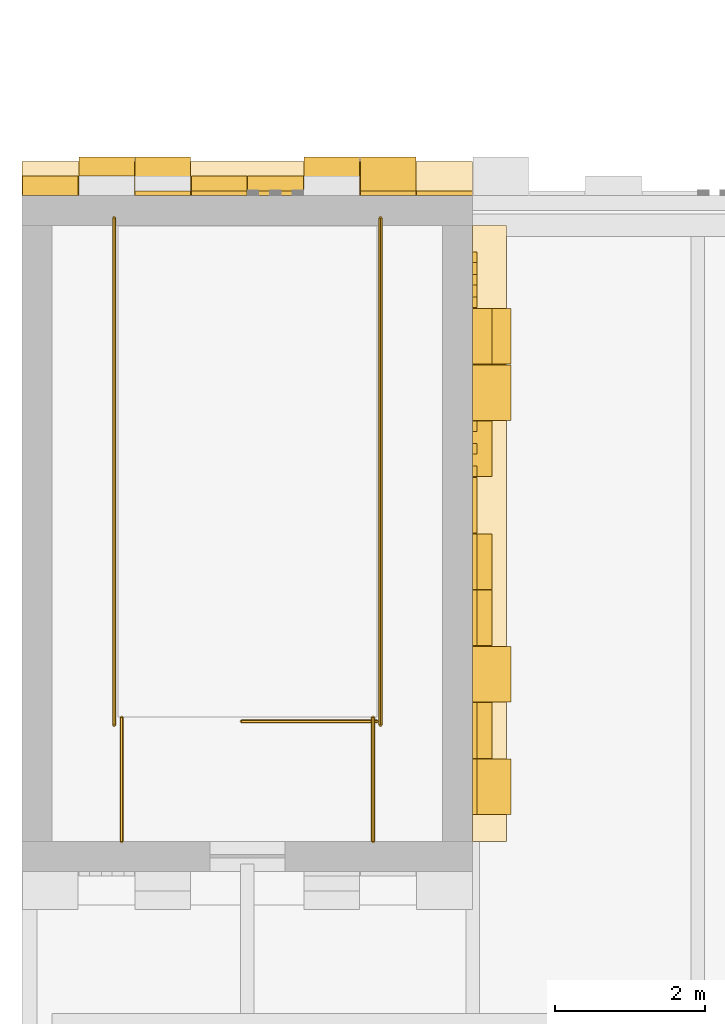
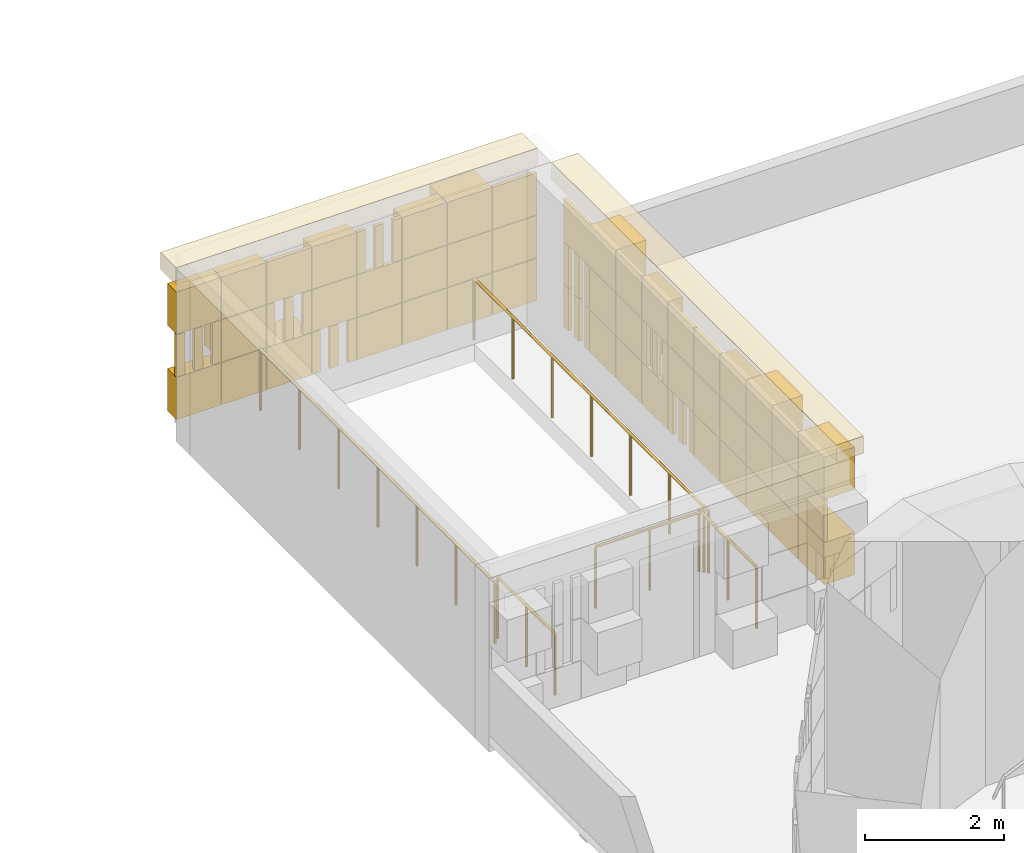
# One storey, part 69 of 98: 14 coverings, 5 railings.
"""IFC4 building model written with IfcOpenShell, lengths in metres."""

from ifc_helpers import new_model, si_unit, direction, frame, origin, origin_2d, place, context, subcontext, project, spatial, rectangle, circle, extrude, material, layer, layer_set, type_object, element, save


model = new_model("IFC4")

# Units and contexts
model_context = context("Model", 3, precision=1e-05, world=origin(), true_north=direction((0.0, 1.0)))
body_context = subcontext(model_context, "Body", "Model", "MODEL_VIEW")
ifc_project = project(units=[si_unit("LENGTHUNIT", "METRE"), si_unit("AREAUNIT", "SQUARE_METRE"), si_unit("VOLUMEUNIT", "CUBIC_METRE"), si_unit("PLANEANGLEUNIT", "RADIAN"), si_unit("MASSUNIT", "GRAM", prefix="KILO")], contexts=[model_context])

# Site, building, storey
site_placement = place(None, origin())
site = spatial("IfcSite", under=ifc_project, at=site_placement, CompositionType="ELEMENT")
building_placement = place(site_placement, origin())
building = spatial("IfcBuilding", under=site, at=building_placement, Name="Sun Court Science Centre", CompositionType="ELEMENT")
storey_placement = place(building_placement, frame((0.0, 0.0, 15.75)))
storey = spatial("IfcBuildingStorey", under=building, at=storey_placement, Name="L03", CompositionType="ELEMENT", Elevation=15.75)

# Railings
ifc_material_1 = material(Name="Steel S275", Category="steel")
railing_type = type_object("IfcRailingType", Name="Guard 1100 steel balustrade", PredefinedType="GUARDRAIL", material=ifc_material_1)
railing_placement = place(storey_placement, frame((4.722900390625, 20.998046875, 0.0)))
element("IfcRailing", 1, at=railing_placement, inside=storey, type_object=railing_type, Name="L03 SB1 top well guard 1", PredefinedType="GUARDRAIL", context=body_context, shape_type="SweptSolid", body=[
    extrude(circle(Radius=0.02392578125, at=origin_2d()), frame((0.0, 0.0, 1.076171875), z_axis=(-1.0, 0.0, 0.0), x_axis=(0.0, -1.0, 0.0)), (0.0, 0.0, 1.0), 1.7978515625),
    extrude(circle(Radius=0.02099609375, at=origin_2d()), origin(), (0.0, 0.0, 1.0), 1.052001953125),
    extrude(circle(Radius=0.02099609375, at=origin_2d()), frame((-0.89892578125, 0.0, 0.0)), (0.0, 0.0, 1.0), 1.052001953125),
    extrude(circle(Radius=0.02099609375, at=origin_2d()), frame((-1.7978515625, 0.0, 0.0)), (0.0, 0.0, 1.0), 1.052001953125),
])
for number, where, name in (
    (2, (4.77294921875, 20.947998046875, 0.0), "L03 SB1 top well guard 2"),
    (3, (1.22705078125, 20.947998046875, 0.0), "L03 SB1 top well guard 3"),
):
    element("IfcRailing", number, at=place(storey_placement, frame(where)), inside=storey, type_object=railing_type, Name=name, PredefinedType="GUARDRAIL", context=body_context, shape_type="SweptSolid", body=[
        extrude(circle(Radius=0.02392578125, at=origin_2d()), frame((0.0, 0.0, 1.076171875), z_axis=(0.0, 1.0, 0.0), x_axis=(-1.0, 0.0, 0.0)), (0.0, 0.0, 1.0), 6.751953125),
        extrude(circle(Radius=0.02099609375, at=origin_2d()), origin(), (0.0, 0.0, 1.0), 1.052001953125),
        extrude(circle(Radius=0.02099609375, at=origin_2d()), frame((0.0, 1.125244140625, 0.0)), (0.0, 0.0, 1.0), 1.052001953125),
        extrude(circle(Radius=0.02099609375, at=origin_2d()), frame((0.0, 2.250732421875, 0.0)), (0.0, 0.0, 1.0), 1.052001953125),
        extrude(circle(Radius=0.02099609375, at=origin_2d()), frame((0.0, 3.3759765625, 0.0)), (0.0, 0.0, 1.0), 1.052001953125),
        extrude(circle(Radius=0.02099609375, at=origin_2d()), frame((0.0, 4.501220703125, 0.0)), (0.0, 0.0, 1.0), 1.052001953125),
        extrude(circle(Radius=0.02099609375, at=origin_2d()), frame((0.0, 5.626708984375, 0.0)), (0.0, 0.0, 1.0), 1.052001953125),
        extrude(circle(Radius=0.02099609375, at=origin_2d()), frame((0.0, 6.751953125, 0.0)), (0.0, 0.0, 1.0), 1.052001953125),
    ])
for number, where, name in (
    (4, (4.673095703125, 19.39990234375, 0.0), "L03 SB1 top well guard 4"),
    (5, (1.326904296875, 19.39990234375, 0.0), "L03 SB1 top well guard 5"),
):
    element("IfcRailing", number, at=place(storey_placement, frame(where)), inside=storey, type_object=railing_type, Name=name, PredefinedType="GUARDRAIL", context=body_context, shape_type="SweptSolid", body=[
        extrude(circle(Radius=0.02392578125, at=origin_2d()), frame((0.0, 0.0, 1.076171875), z_axis=(0.0, 1.0, 0.0), x_axis=(-1.0, 0.0, 0.0)), (0.0, 0.0, 1.0), 1.648193359375),
        extrude(circle(Radius=0.02099609375, at=origin_2d()), origin(), (0.0, 0.0, 1.0), 1.052001953125),
        extrude(circle(Radius=0.02099609375, at=origin_2d()), frame((0.0, 0.82421875, 0.0)), (0.0, 0.0, 1.0), 1.052001953125),
        extrude(circle(Radius=0.02099609375, at=origin_2d()), frame((0.0, 1.648193359375, 0.0)), (0.0, 0.0, 1.0), 1.052001953125),
    ])

# Coverings
ifc_material_2 = material(Name="Terracotta panel", Category="masonry")
ifc_layer_1 = layer(ifc_material_2, 0.449951171875)
ifc_layer_set_1 = layer_set([ifc_layer_1], Name="Terracotta panel")
covering_type_1 = type_object("IfcCoveringType", Name="Terracotta cornice 450", PredefinedType="CLADDING", material=ifc_layer_set_1)
covering_1_placement = place(storey_placement, frame((0.0, 0.0, -15.75)))
element("IfcCovering", 6, at=covering_1_placement, inside=storey, type_object=covering_type_1, Name="Terracotta cornice east face of core L03", PredefinedType="CLADDING", context=body_context, shape_type="SweptSolid", body=[
    extrude(rectangle(XDim=8.199951171875, YDim=0.449951171875, at=origin_2d()), frame((6.22509765625, 23.5, 18.2001953125), z_axis=(0.0, 0.0, 1.0), x_axis=(0.0, -1.0, 0.0)), (0.0, 0.0, 1.0), 0.300048828125),
])
covering_2_placement = place(storey_placement, frame((0.0, 0.0, -15.75)))
element("IfcCovering", 7, at=covering_2_placement, inside=storey, type_object=covering_type_1, Name="Terracotta cornice north face of core L03", PredefinedType="CLADDING", context=body_context, shape_type="SweptSolid", body=[
    extrude(rectangle(XDim=6.0, YDim=0.449951171875, at=origin_2d()), frame((3.0, 28.22509765625, 18.2001953125), z_axis=(0.0, 0.0, 1.0), x_axis=(1.0, 0.0, 0.0)), (0.0, 0.0, 1.0), 0.300048828125),
])
ifc_material_3 = material(Name="Terracotta jali", Category="masonry")
ifc_layer_2 = layer(ifc_material_3, 0.06005859375)
ifc_layer_set_2 = layer_set([ifc_layer_2], Name="Terracotta jali")
covering_type_2 = type_object("IfcCoveringType", Name="Terracotta open jali panel", PredefinedType="CLADDING", material=ifc_layer_set_2)
covering_3_placement = place(storey_placement, frame((0.0, 0.0, -15.75)))
element("IfcCovering", 8, at=covering_3_placement, inside=storey, type_object=covering_type_2, Name="Open jali pixel cladding east face of core L03", PredefinedType="CLADDING", context=body_context, shape_type="SweptSolid", body=[
    extrude(rectangle(XDim=0.139892578125, YDim=0.06005859375, at=origin_2d()), frame((6.030029296875, 27.175048828125, 15.830078125), z_axis=(0.0, 0.0, 1.0), x_axis=(0.0, -1.0, 0.0)), (0.0, 0.0, 1.0), 0.739990234375),
    extrude(rectangle(XDim=0.139892578125, YDim=0.06005859375, at=origin_2d()), frame((6.030029296875, 26.875, 15.830078125), z_axis=(0.0, 0.0, 1.0), x_axis=(0.0, -1.0, 0.0)), (0.0, 0.0, 1.0), 0.739990234375),
    extrude(rectangle(XDim=0.139892578125, YDim=0.06005859375, at=origin_2d()), frame((6.030029296875, 26.574951171875, 15.830078125), z_axis=(0.0, 0.0, 1.0), x_axis=(0.0, -1.0, 0.0)), (0.0, 0.0, 1.0), 0.739990234375),
    extrude(rectangle(XDim=0.139892578125, YDim=0.06005859375, at=origin_2d()), frame((6.030029296875, 24.175048828125, 15.830078125), z_axis=(0.0, 0.0, 1.0), x_axis=(0.0, -1.0, 0.0)), (0.0, 0.0, 1.0), 0.739990234375),
    extrude(rectangle(XDim=0.139892578125, YDim=0.06005859375, at=origin_2d()), frame((6.030029296875, 23.875, 15.830078125), z_axis=(0.0, 0.0, 1.0), x_axis=(0.0, -1.0, 0.0)), (0.0, 0.0, 1.0), 0.739990234375),
    extrude(rectangle(XDim=0.139892578125, YDim=0.06005859375, at=origin_2d()), frame((6.030029296875, 23.574951171875, 15.830078125), z_axis=(0.0, 0.0, 1.0), x_axis=(0.0, -1.0, 0.0)), (0.0, 0.0, 1.0), 0.739990234375),
    extrude(rectangle(XDim=0.139892578125, YDim=0.06005859375, at=origin_2d()), frame((6.030029296875, 27.175048828125, 16.580078125), z_axis=(0.0, 0.0, 1.0), x_axis=(0.0, -1.0, 0.0)), (0.0, 0.0, 1.0), 0.739990234375),
    extrude(rectangle(XDim=0.139892578125, YDim=0.06005859375, at=origin_2d()), frame((6.030029296875, 26.875, 16.580078125), z_axis=(0.0, 0.0, 1.0), x_axis=(0.0, -1.0, 0.0)), (0.0, 0.0, 1.0), 0.739990234375),
    extrude(rectangle(XDim=0.139892578125, YDim=0.06005859375, at=origin_2d()), frame((6.030029296875, 26.574951171875, 16.580078125), z_axis=(0.0, 0.0, 1.0), x_axis=(0.0, -1.0, 0.0)), (0.0, 0.0, 1.0), 0.739990234375),
    extrude(rectangle(XDim=0.139892578125, YDim=0.06005859375, at=origin_2d()), frame((6.030029296875, 24.925048828125, 16.580078125), z_axis=(0.0, 0.0, 1.0), x_axis=(0.0, -1.0, 0.0)), (0.0, 0.0, 1.0), 0.739990234375),
    extrude(rectangle(XDim=0.139892578125, YDim=0.06005859375, at=origin_2d()), frame((6.030029296875, 24.625, 16.580078125), z_axis=(0.0, 0.0, 1.0), x_axis=(0.0, -1.0, 0.0)), (0.0, 0.0, 1.0), 0.739990234375),
    extrude(rectangle(XDim=0.139892578125, YDim=0.06005859375, at=origin_2d()), frame((6.030029296875, 24.324951171875, 16.580078125), z_axis=(0.0, 0.0, 1.0), x_axis=(0.0, -1.0, 0.0)), (0.0, 0.0, 1.0), 0.739990234375),
    extrude(rectangle(XDim=0.739990234375, YDim=0.06005859375, at=origin_2d()), frame((6.030029296875, 23.875, 17.330078125), z_axis=(0.0, 0.0, 1.0), x_axis=(0.0, -1.0, 0.0)), (0.0, 0.0, 1.0), 0.739990234375),
])
covering_4_placement = place(storey_placement, frame((0.0, 0.0, -15.75)))
element("IfcCovering", 9, at=covering_4_placement, inside=storey, type_object=covering_type_2, Name="Open jali pixel cladding north face of core L03", PredefinedType="CLADDING", context=body_context, shape_type="SweptSolid", body=[
    extrude(rectangle(XDim=0.139892578125, YDim=0.06005859375, at=origin_2d()), frame((2.324951171875, 28.030029296875, 15.830078125), z_axis=(0.0, 0.0, 1.0), x_axis=(1.0, 0.0, 0.0)), (0.0, 0.0, 1.0), 0.739990234375),
    extrude(rectangle(XDim=0.139892578125, YDim=0.06005859375, at=origin_2d()), frame((2.625, 28.030029296875, 15.830078125), z_axis=(0.0, 0.0, 1.0), x_axis=(1.0, 0.0, 0.0)), (0.0, 0.0, 1.0), 0.739990234375),
    extrude(rectangle(XDim=0.139892578125, YDim=0.06005859375, at=origin_2d()), frame((2.925048828125, 28.030029296875, 15.830078125), z_axis=(0.0, 0.0, 1.0), x_axis=(1.0, 0.0, 0.0)), (0.0, 0.0, 1.0), 0.739990234375),
    extrude(rectangle(XDim=0.139892578125, YDim=0.06005859375, at=origin_2d()), frame((0.074951171875, 28.030029296875, 16.580078125), z_axis=(0.0, 0.0, 1.0), x_axis=(1.0, 0.0, 0.0)), (0.0, 0.0, 1.0), 0.739990234375),
    extrude(rectangle(XDim=0.139892578125, YDim=0.06005859375, at=origin_2d()), frame((0.375, 28.030029296875, 16.580078125), z_axis=(0.0, 0.0, 1.0), x_axis=(1.0, 0.0, 0.0)), (0.0, 0.0, 1.0), 0.739990234375),
    extrude(rectangle(XDim=0.139892578125, YDim=0.06005859375, at=origin_2d()), frame((0.675048828125, 28.030029296875, 16.580078125), z_axis=(0.0, 0.0, 1.0), x_axis=(1.0, 0.0, 0.0)), (0.0, 0.0, 1.0), 0.739990234375),
    extrude(rectangle(XDim=0.139892578125, YDim=0.06005859375, at=origin_2d()), frame((1.574951171875, 28.030029296875, 16.580078125), z_axis=(0.0, 0.0, 1.0), x_axis=(1.0, 0.0, 0.0)), (0.0, 0.0, 1.0), 0.739990234375),
    extrude(rectangle(XDim=0.139892578125, YDim=0.06005859375, at=origin_2d()), frame((1.875, 28.030029296875, 16.580078125), z_axis=(0.0, 0.0, 1.0), x_axis=(1.0, 0.0, 0.0)), (0.0, 0.0, 1.0), 0.739990234375),
    extrude(rectangle(XDim=0.139892578125, YDim=0.06005859375, at=origin_2d()), frame((2.175048828125, 28.030029296875, 16.580078125), z_axis=(0.0, 0.0, 1.0), x_axis=(1.0, 0.0, 0.0)), (0.0, 0.0, 1.0), 0.739990234375),
    extrude(rectangle(XDim=0.139892578125, YDim=0.06005859375, at=origin_2d()), frame((3.074951171875, 28.030029296875, 17.330078125), z_axis=(0.0, 0.0, 1.0), x_axis=(1.0, 0.0, 0.0)), (0.0, 0.0, 1.0), 0.739990234375),
    extrude(rectangle(XDim=0.139892578125, YDim=0.06005859375, at=origin_2d()), frame((3.375, 28.030029296875, 17.330078125), z_axis=(0.0, 0.0, 1.0), x_axis=(1.0, 0.0, 0.0)), (0.0, 0.0, 1.0), 0.739990234375),
    extrude(rectangle(XDim=0.139892578125, YDim=0.06005859375, at=origin_2d()), frame((3.675048828125, 28.030029296875, 17.330078125), z_axis=(0.0, 0.0, 1.0), x_axis=(1.0, 0.0, 0.0)), (0.0, 0.0, 1.0), 0.739990234375),
    extrude(rectangle(XDim=0.739990234375, YDim=0.260009765625, at=origin_2d()), frame((0.375, 28.1298828125, 15.830078125), z_axis=(0.0, 0.0, 1.0), x_axis=(1.0, 0.0, 0.0)), (0.0, 0.0, 1.0), 0.739990234375),
    extrude(rectangle(XDim=0.739990234375, YDim=0.260009765625, at=origin_2d()), frame((0.375, 28.1298828125, 17.330078125), z_axis=(0.0, 0.0, 1.0), x_axis=(1.0, 0.0, 0.0)), (0.0, 0.0, 1.0), 0.739990234375),
])
ifc_material_4 = material(Name="Terracotta shade 1", Category="masonry")
ifc_layer_3 = layer(ifc_material_4, 0.06005859375)
ifc_layer_set_3 = layer_set([ifc_layer_3], Name="Terracotta shade 1")
covering_type_3 = type_object("IfcCoveringType", Name="Terracotta pixel panel shade 1", PredefinedType="CLADDING", material=ifc_layer_set_3)
covering_5_placement = place(storey_placement, frame((0.0, 0.0, -15.75)))
element("IfcCovering", 10, at=covering_5_placement, inside=storey, type_object=covering_type_3, Name="Terracotta pixel cladding shade 1 east face of core L03", PredefinedType="CLADDING", context=body_context, shape_type="SweptSolid", body=[
    extrude(rectangle(XDim=0.739990234375, YDim=0.260009765625, at=origin_2d()), frame((6.1298828125, 25.375, 15.830078125), z_axis=(0.0, 0.0, 1.0), x_axis=(0.0, -1.0, 0.0)), (0.0, 0.0, 1.0), 0.739990234375),
    extrude(rectangle(XDim=0.739990234375, YDim=0.06005859375, at=origin_2d()), frame((6.030029296875, 24.625, 15.830078125), z_axis=(0.0, 0.0, 1.0), x_axis=(0.0, -1.0, 0.0)), (0.0, 0.0, 1.0), 0.739990234375),
    extrude(rectangle(XDim=0.739990234375, YDim=0.260009765625, at=origin_2d()), frame((6.1298828125, 23.125, 15.830078125), z_axis=(0.0, 0.0, 1.0), x_axis=(0.0, -1.0, 0.0)), (0.0, 0.0, 1.0), 0.739990234375),
    extrude(rectangle(XDim=0.739990234375, YDim=0.06005859375, at=origin_2d()), frame((6.030029296875, 21.625, 15.830078125), z_axis=(0.0, 0.0, 1.0), x_axis=(0.0, -1.0, 0.0)), (0.0, 0.0, 1.0), 0.739990234375),
    extrude(rectangle(XDim=0.739990234375, YDim=0.260009765625, at=origin_2d()), frame((6.1298828125, 20.875, 15.830078125), z_axis=(0.0, 0.0, 1.0), x_axis=(0.0, -1.0, 0.0)), (0.0, 0.0, 1.0), 0.739990234375),
    extrude(rectangle(XDim=0.739990234375, YDim=0.510009765625, at=origin_2d()), frame((6.2548828125, 20.125, 15.830078125), z_axis=(0.0, 0.0, 1.0), x_axis=(0.0, -1.0, 0.0)), (0.0, 0.0, 1.0), 0.739990234375),
    extrude(rectangle(XDim=0.739990234375, YDim=0.06005859375, at=origin_2d()), frame((6.030029296875, 23.125, 17.330078125), z_axis=(0.0, 0.0, 1.0), x_axis=(0.0, -1.0, 0.0)), (0.0, 0.0, 1.0), 0.739990234375),
    extrude(rectangle(XDim=0.739990234375, YDim=0.06005859375, at=origin_2d()), frame((6.030029296875, 20.875, 17.330078125), z_axis=(0.0, 0.0, 1.0), x_axis=(0.0, -1.0, 0.0)), (0.0, 0.0, 1.0), 0.739990234375),
    extrude(rectangle(XDim=0.739990234375, YDim=0.06005859375, at=origin_2d()), frame((6.030029296875, 20.125, 16.580078125), z_axis=(0.0, 0.0, 1.0), x_axis=(0.0, -1.0, 0.0)), (0.0, 0.0, 1.0), 0.739990234375),
])
covering_6_placement = place(storey_placement, frame((0.0, 0.0, -15.75)))
element("IfcCovering", 11, at=covering_6_placement, inside=storey, type_object=covering_type_3, Name="Terracotta pixel cladding shade 1 north face of core L03", PredefinedType="CLADDING", context=body_context, shape_type="SweptSolid", body=[
    extrude(rectangle(XDim=0.739990234375, YDim=0.510009765625, at=origin_2d()), frame((1.875, 28.2548828125, 15.830078125), z_axis=(0.0, 0.0, 1.0), x_axis=(1.0, 0.0, 0.0)), (0.0, 0.0, 1.0), 0.739990234375),
    extrude(rectangle(XDim=0.739990234375, YDim=0.06005859375, at=origin_2d()), frame((4.875, 28.030029296875, 16.580078125), z_axis=(0.0, 0.0, 1.0), x_axis=(1.0, 0.0, 0.0)), (0.0, 0.0, 1.0), 0.739990234375),
    extrude(rectangle(XDim=0.739990234375, YDim=0.260009765625, at=origin_2d()), frame((1.125, 28.1298828125, 17.330078125), z_axis=(0.0, 0.0, 1.0), x_axis=(1.0, 0.0, 0.0)), (0.0, 0.0, 1.0), 0.739990234375),
    extrude(rectangle(XDim=0.739990234375, YDim=0.260009765625, at=origin_2d()), frame((4.125, 28.1298828125, 17.330078125), z_axis=(0.0, 0.0, 1.0), x_axis=(1.0, 0.0, 0.0)), (0.0, 0.0, 1.0), 0.739990234375),
    extrude(rectangle(XDim=0.739990234375, YDim=0.510009765625, at=origin_2d()), frame((4.875, 28.2548828125, 17.330078125), z_axis=(0.0, 0.0, 1.0), x_axis=(1.0, 0.0, 0.0)), (0.0, 0.0, 1.0), 0.739990234375),
    extrude(rectangle(XDim=0.739990234375, YDim=0.06005859375, at=origin_2d()), frame((5.625, 28.030029296875, 17.330078125), z_axis=(0.0, 0.0, 1.0), x_axis=(1.0, 0.0, 0.0)), (0.0, 0.0, 1.0), 0.739990234375),
    extrude(rectangle(XDim=0.739990234375, YDim=0.06005859375, at=origin_2d()), frame((1.125, 28.030029296875, 15.830078125), z_axis=(0.0, 0.0, 1.0), x_axis=(1.0, 0.0, 0.0)), (0.0, 0.0, 1.0), 0.739990234375),
    extrude(rectangle(XDim=0.739990234375, YDim=0.510009765625, at=origin_2d()), frame((1.125, 28.2548828125, 16.580078125), z_axis=(0.0, 0.0, 1.0), x_axis=(1.0, 0.0, 0.0)), (0.0, 0.0, 1.0), 0.739990234375),
])
ifc_material_5 = material(Name="Terracotta shade 2", Category="masonry")
ifc_layer_4 = layer(ifc_material_5, 0.06005859375)
ifc_layer_set_4 = layer_set([ifc_layer_4], Name="Terracotta shade 2")
covering_type_4 = type_object("IfcCoveringType", Name="Terracotta pixel panel shade 2", PredefinedType="CLADDING", material=ifc_layer_set_4)
covering_7_placement = place(storey_placement, frame((0.0, 0.0, -15.75)))
element("IfcCovering", 12, at=covering_7_placement, inside=storey, type_object=covering_type_4, Name="Terracotta pixel cladding shade 2 east face of core L03", PredefinedType="CLADDING", context=body_context, shape_type="SweptSolid", body=[
    extrude(rectangle(XDim=0.739990234375, YDim=0.260009765625, at=origin_2d()), frame((6.1298828125, 22.375, 16.580078125), z_axis=(0.0, 0.0, 1.0), x_axis=(0.0, -1.0, 0.0)), (0.0, 0.0, 1.0), 0.739990234375),
    extrude(rectangle(XDim=0.739990234375, YDim=0.06005859375, at=origin_2d()), frame((6.030029296875, 26.875, 17.330078125), z_axis=(0.0, 0.0, 1.0), x_axis=(0.0, -1.0, 0.0)), (0.0, 0.0, 1.0), 0.739990234375),
    extrude(rectangle(XDim=0.739990234375, YDim=0.510009765625, at=origin_2d()), frame((6.2548828125, 26.125, 17.330078125), z_axis=(0.0, 0.0, 1.0), x_axis=(0.0, -1.0, 0.0)), (0.0, 0.0, 1.0), 0.739990234375),
    extrude(rectangle(XDim=0.739990234375, YDim=0.06005859375, at=origin_2d()), frame((6.030029296875, 25.375, 17.330078125), z_axis=(0.0, 0.0, 1.0), x_axis=(0.0, -1.0, 0.0)), (0.0, 0.0, 1.0), 0.739990234375),
    extrude(rectangle(XDim=0.739990234375, YDim=0.260009765625, at=origin_2d()), frame((6.1298828125, 22.375, 17.330078125), z_axis=(0.0, 0.0, 1.0), x_axis=(0.0, -1.0, 0.0)), (0.0, 0.0, 1.0), 0.739990234375),
    extrude(rectangle(XDim=0.739990234375, YDim=0.510009765625, at=origin_2d()), frame((6.2548828125, 20.125, 17.330078125), z_axis=(0.0, 0.0, 1.0), x_axis=(0.0, -1.0, 0.0)), (0.0, 0.0, 1.0), 0.739990234375),
])
covering_8_placement = place(storey_placement, frame((0.0, 0.0, -15.75)))
element("IfcCovering", 13, at=covering_8_placement, inside=storey, type_object=covering_type_4, Name="Terracotta pixel cladding shade 2 north face of core L03", PredefinedType="CLADDING", context=body_context, shape_type="SweptSolid", body=[
    extrude(rectangle(XDim=0.739990234375, YDim=0.510009765625, at=origin_2d()), frame((4.125, 28.2548828125, 15.830078125), z_axis=(0.0, 0.0, 1.0), x_axis=(1.0, 0.0, 0.0)), (0.0, 0.0, 1.0), 0.739990234375),
    extrude(rectangle(XDim=0.739990234375, YDim=0.06005859375, at=origin_2d()), frame((5.625, 28.030029296875, 15.830078125), z_axis=(0.0, 0.0, 1.0), x_axis=(1.0, 0.0, 0.0)), (0.0, 0.0, 1.0), 0.739990234375),
    extrude(rectangle(XDim=0.739990234375, YDim=0.06005859375, at=origin_2d()), frame((3.375, 28.030029296875, 16.580078125), z_axis=(0.0, 0.0, 1.0), x_axis=(1.0, 0.0, 0.0)), (0.0, 0.0, 1.0), 0.739990234375),
    extrude(rectangle(XDim=0.739990234375, YDim=0.06005859375, at=origin_2d()), frame((4.125, 28.030029296875, 16.580078125), z_axis=(0.0, 0.0, 1.0), x_axis=(1.0, 0.0, 0.0)), (0.0, 0.0, 1.0), 0.739990234375),
    extrude(rectangle(XDim=0.739990234375, YDim=0.06005859375, at=origin_2d()), frame((5.625, 28.030029296875, 16.580078125), z_axis=(0.0, 0.0, 1.0), x_axis=(1.0, 0.0, 0.0)), (0.0, 0.0, 1.0), 0.739990234375),
    extrude(rectangle(XDim=0.739990234375, YDim=0.260009765625, at=origin_2d()), frame((3.375, 28.1298828125, 15.830078125), z_axis=(0.0, 0.0, 1.0), x_axis=(1.0, 0.0, 0.0)), (0.0, 0.0, 1.0), 0.739990234375),
])
ifc_material_6 = material(Name="Terracotta shade 3", Category="masonry")
ifc_layer_5 = layer(ifc_material_6, 0.06005859375)
ifc_layer_set_5 = layer_set([ifc_layer_5], Name="Terracotta shade 3")
covering_type_5 = type_object("IfcCoveringType", Name="Terracotta pixel panel shade 3", PredefinedType="CLADDING", material=ifc_layer_set_5)
covering_9_placement = place(storey_placement, frame((0.0, 0.0, -15.75)))
element("IfcCovering", 14, at=covering_9_placement, inside=storey, type_object=covering_type_5, Name="Terracotta pixel cladding shade 3 east face of core L03", PredefinedType="CLADDING", context=body_context, shape_type="SweptSolid", body=[
    extrude(rectangle(XDim=0.739990234375, YDim=0.06005859375, at=origin_2d()), frame((6.030029296875, 22.375, 15.830078125), z_axis=(0.0, 0.0, 1.0), x_axis=(0.0, -1.0, 0.0)), (0.0, 0.0, 1.0), 0.739990234375),
    extrude(rectangle(XDim=0.739990234375, YDim=0.06005859375, at=origin_2d()), frame((6.030029296875, 26.125, 16.580078125), z_axis=(0.0, 0.0, 1.0), x_axis=(0.0, -1.0, 0.0)), (0.0, 0.0, 1.0), 0.739990234375),
    extrude(rectangle(XDim=0.739990234375, YDim=0.06005859375, at=origin_2d()), frame((6.030029296875, 21.625, 16.580078125), z_axis=(0.0, 0.0, 1.0), x_axis=(0.0, -1.0, 0.0)), (0.0, 0.0, 1.0), 0.739990234375),
    extrude(rectangle(XDim=0.739990234375, YDim=0.260009765625, at=origin_2d()), frame((6.1298828125, 24.625, 17.330078125), z_axis=(0.0, 0.0, 1.0), x_axis=(0.0, -1.0, 0.0)), (0.0, 0.0, 1.0), 0.739990234375),
    extrude(rectangle(XDim=0.739990234375, YDim=0.510009765625, at=origin_2d()), frame((6.2548828125, 21.625, 17.330078125), z_axis=(0.0, 0.0, 1.0), x_axis=(0.0, -1.0, 0.0)), (0.0, 0.0, 1.0), 0.739990234375),
])
covering_10_placement = place(storey_placement, frame((0.0, 0.0, -15.75)))
element("IfcCovering", 15, at=covering_10_placement, inside=storey, type_object=covering_type_5, Name="Terracotta pixel cladding shade 3 north face of core L03", PredefinedType="CLADDING", context=body_context, shape_type="SweptSolid", body=[
    extrude(rectangle(XDim=0.739990234375, YDim=0.260009765625, at=origin_2d()), frame((2.625, 28.1298828125, 17.330078125), z_axis=(0.0, 0.0, 1.0), x_axis=(1.0, 0.0, 0.0)), (0.0, 0.0, 1.0), 0.739990234375),
])
ifc_material_7 = material(Name="Terracotta shade 4", Category="masonry")
ifc_layer_6 = layer(ifc_material_7, 0.06005859375)
ifc_layer_set_6 = layer_set([ifc_layer_6], Name="Terracotta shade 4")
covering_type_6 = type_object("IfcCoveringType", Name="Terracotta pixel panel shade 4", PredefinedType="CLADDING", material=ifc_layer_set_6)
covering_11_placement = place(storey_placement, frame((0.0, 0.0, -15.75)))
element("IfcCovering", 16, at=covering_11_placement, inside=storey, type_object=covering_type_6, Name="Terracotta pixel cladding shade 4 east face of core L03", PredefinedType="CLADDING", context=body_context, shape_type="SweptSolid", body=[
    extrude(rectangle(XDim=0.739990234375, YDim=0.260009765625, at=origin_2d()), frame((6.1298828125, 26.125, 15.830078125), z_axis=(0.0, 0.0, 1.0), x_axis=(0.0, -1.0, 0.0)), (0.0, 0.0, 1.0), 0.739990234375),
    extrude(rectangle(XDim=0.739990234375, YDim=0.510009765625, at=origin_2d()), frame((6.2548828125, 25.375, 16.580078125), z_axis=(0.0, 0.0, 1.0), x_axis=(0.0, -1.0, 0.0)), (0.0, 0.0, 1.0), 0.739990234375),
])
covering_12_placement = place(storey_placement, frame((0.0, 0.0, -15.75)))
element("IfcCovering", 17, at=covering_12_placement, inside=storey, type_object=covering_type_6, Name="Terracotta pixel cladding shade 4 north face of core L03", PredefinedType="CLADDING", context=body_context, shape_type="SweptSolid", body=[
    extrude(rectangle(XDim=0.739990234375, YDim=0.06005859375, at=origin_2d()), frame((4.875, 28.030029296875, 15.830078125), z_axis=(0.0, 0.0, 1.0), x_axis=(1.0, 0.0, 0.0)), (0.0, 0.0, 1.0), 0.739990234375),
])
ifc_material_8 = material(Name="Terracotta shade 5", Category="masonry")
ifc_layer_7 = layer(ifc_material_8, 0.06005859375)
ifc_layer_set_7 = layer_set([ifc_layer_7], Name="Terracotta shade 5")
covering_type_7 = type_object("IfcCoveringType", Name="Terracotta pixel panel shade 5", PredefinedType="CLADDING", material=ifc_layer_set_7)
covering_13_placement = place(storey_placement, frame((0.0, 0.0, -15.75)))
element("IfcCovering", 18, at=covering_13_placement, inside=storey, type_object=covering_type_7, Name="Terracotta pixel cladding shade 5 east face of core L03", PredefinedType="CLADDING", context=body_context, shape_type="SweptSolid", body=[
    extrude(rectangle(XDim=0.739990234375, YDim=0.06005859375, at=origin_2d()), frame((6.030029296875, 23.875, 16.580078125), z_axis=(0.0, 0.0, 1.0), x_axis=(0.0, -1.0, 0.0)), (0.0, 0.0, 1.0), 0.739990234375),
    extrude(rectangle(XDim=0.739990234375, YDim=0.06005859375, at=origin_2d()), frame((6.030029296875, 23.125, 16.580078125), z_axis=(0.0, 0.0, 1.0), x_axis=(0.0, -1.0, 0.0)), (0.0, 0.0, 1.0), 0.739990234375),
    extrude(rectangle(XDim=0.739990234375, YDim=0.06005859375, at=origin_2d()), frame((6.030029296875, 20.875, 16.580078125), z_axis=(0.0, 0.0, 1.0), x_axis=(0.0, -1.0, 0.0)), (0.0, 0.0, 1.0), 0.739990234375),
])
covering_14_placement = place(storey_placement, frame((0.0, 0.0, -15.75)))
element("IfcCovering", 19, at=covering_14_placement, inside=storey, type_object=covering_type_7, Name="Terracotta pixel cladding shade 5 north face of core L03", PredefinedType="CLADDING", context=body_context, shape_type="SweptSolid", body=[
    extrude(rectangle(XDim=0.739990234375, YDim=0.06005859375, at=origin_2d()), frame((2.625, 28.030029296875, 16.580078125), z_axis=(0.0, 0.0, 1.0), x_axis=(1.0, 0.0, 0.0)), (0.0, 0.0, 1.0), 0.739990234375),
    extrude(rectangle(XDim=0.739990234375, YDim=0.06005859375, at=origin_2d()), frame((1.875, 28.030029296875, 17.330078125), z_axis=(0.0, 0.0, 1.0), x_axis=(1.0, 0.0, 0.0)), (0.0, 0.0, 1.0), 0.739990234375),
])

save(model, "model.ifc")
